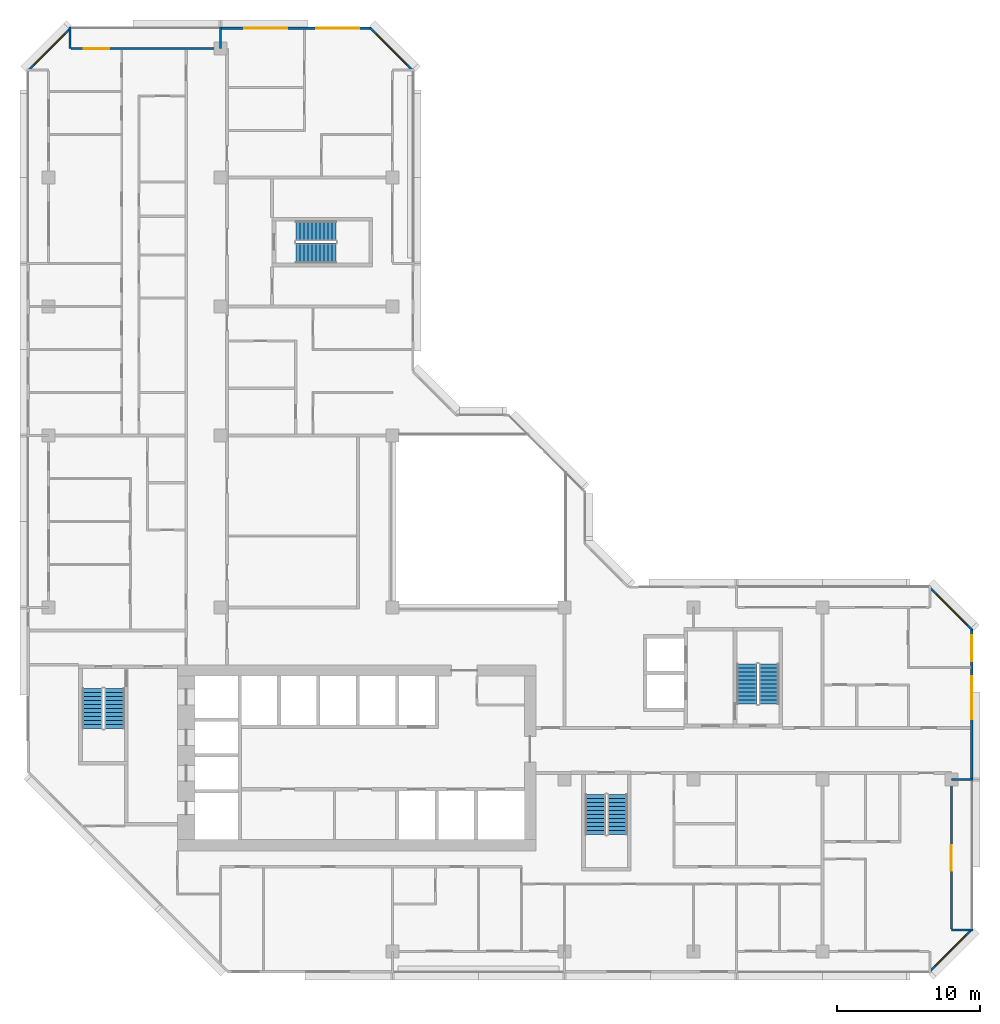
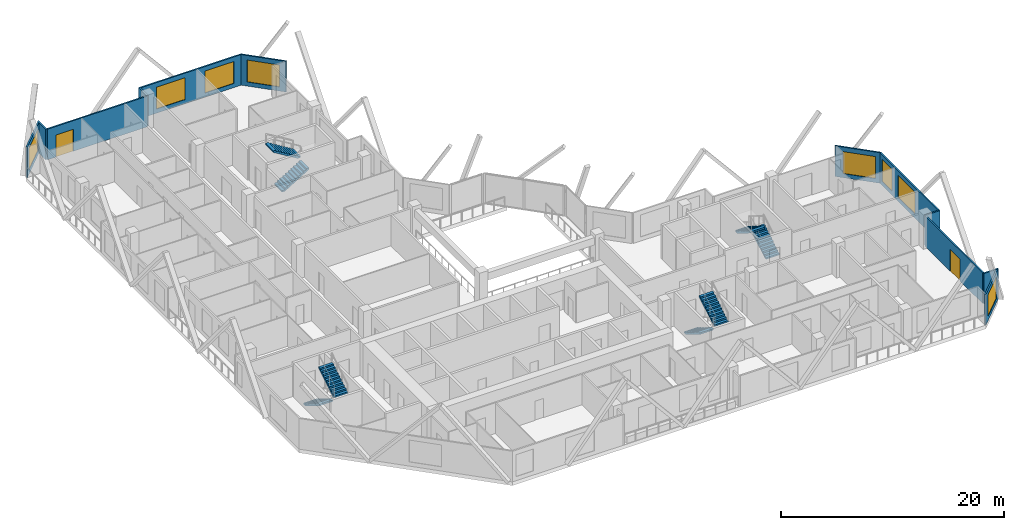
# One storey, part 12 of 14: 12 walls, 8 stair flights, 8 windows, 2 doors, 10 openings, 4 elements without a shape of their own.
"""IFC4 building model written with IfcOpenShell, lengths in metres."""

from ifc_helpers import new_model, si_unit, direction, frame, frame_2d, origin, place, context, subcontext, project, spatial, polyline, rectangle, outline, extrude, material, layer, layer_set, type_object, element, fill, aggregate, save


model = new_model("IFC4")

# Units and contexts
model_context = context("Model", 3, precision=1e-05, world=origin(), true_north=direction((0.0, 1.0)))
body_context = subcontext(model_context, "Body", "Model", "MODEL_VIEW")
ifc_project = project(units=[si_unit("LENGTHUNIT", "METRE"), si_unit("AREAUNIT", "SQUARE_METRE"), si_unit("VOLUMEUNIT", "CUBIC_METRE"), si_unit("PLANEANGLEUNIT", "RADIAN"), si_unit("MASSUNIT", "GRAM", prefix="KILO")], contexts=[model_context])

# Site, building, storey
site_placement = place(None, origin())
site = spatial("IfcSite", under=ifc_project, at=site_placement, CompositionType="ELEMENT")
building_placement = place(site_placement, origin())
building = spatial("IfcBuilding", under=site, at=building_placement, Name="Chenar Terraces", CompositionType="ELEMENT")
storey_placement = place(building_placement, frame((0.0, 0.0, 157.39990234375)))
storey = spatial("IfcBuildingStorey", under=building, at=storey_placement, Name="L35", CompositionType="ELEMENT", Elevation=157.39990234375)

# Wall, openings, windows
ifc_material_1 = material(Name="Aluminium framed glazing", Category="aluminium")
ifc_layer_1 = layer(ifc_material_1, 0.14990234375)
ifc_layer_set_1 = layer_set([ifc_layer_1], Name="Aluminium framed glazing")
wall_type_1 = type_object("IfcWallType", Name="Glazed flush facade wall 150", PredefinedType="SOLIDWALL", material=ifc_layer_set_1)
wall_1_placement = place(storey_placement, frame((22.5, 64.425048828125, 0.0), z_axis=(0.0, 0.0, 1.0), x_axis=(-1.0, 0.0, 0.0)))
wall_1 = element("IfcWall", 1, at=wall_1_placement, inside=storey, type_object=wall_type_1, Name="Glazed flush facade wall", PredefinedType="SOLIDWALL", context=body_context, shape_type="SweptSolid", body=[
    extrude(rectangle(XDim=10.425048828125, YDim=0.14990234375, at=frame_2d((5.21240234375, 0.0))), origin(), (0.0, 0.0, 1.0), 3.35009765625),
])
opening_1_placement = place(wall_1_placement, frame((0.824951171875, 0.0, 0.449951171875)))
opening_1 = element("IfcOpeningElement", 2, at=opening_1_placement, cuts=wall_1, Name="Opening W300x240", PredefinedType="OPENING", context=body_context, shape_type="SweptSolid", body=[
    extrude(rectangle(XDim=3.0, YDim=2.39990234375, at=frame_2d((1.5, 1.199951171875))), frame((0.0, 0.0849609375, 0.0), z_axis=(0.0, -1.0, 0.0), x_axis=(1.0, 0.0, 0.0)), (0.0, 0.0, 1.0), 0.169921875),
])
opening_2_placement = place(wall_1_placement, frame((5.85009765625, 0.0, 0.449951171875)))
opening_2 = element("IfcOpeningElement", 3, at=opening_2_placement, cuts=wall_1, Name="Opening W300x240", PredefinedType="OPENING", context=body_context, shape_type="SweptSolid", body=[
    extrude(rectangle(XDim=3.0, YDim=2.39990234375, at=frame_2d((1.5, 1.199951171875))), frame((0.0, 0.0849609375, 0.0), z_axis=(0.0, -1.0, 0.0), x_axis=(1.0, 0.0, 0.0)), (0.0, 0.0, 1.0), 0.169921875),
])
ifc_material_2 = material(Name="Low emissivity double glazing, aluminium frame", Category="aluminium")
window_type_1 = type_object("IfcWindowType", Name="Fixed light 3000 x 2400", PartitioningType="SINGLE_PANEL", PredefinedType="WINDOW", material=ifc_material_2)
window_1_placement = place(opening_1_placement, origin())
window_1 = element("IfcWindow", 4, at=window_1_placement, inside=storey, type_object=window_type_1, Name="Window", OverallHeight=2.39990234375, OverallWidth=3.0, PartitioningType="SINGLE_PANEL", PredefinedType="WINDOW", context=body_context, shape_type="SweptSolid", body=[
    extrude(rectangle(XDim=3.0, YDim=2.39990234375, at=frame_2d((1.5, 1.199951171875))), frame((0.0, 0.030029296875, 0.0), z_axis=(0.0, -1.0, 0.0), x_axis=(1.0, 0.0, 0.0)), (0.0, 0.0, 1.0), 0.06005859375),
])
fill(opening_1, window_1)
window_2_placement = place(opening_2_placement, origin())
window_2 = element("IfcWindow", 5, at=window_2_placement, inside=storey, type_object=window_type_1, Name="Window", OverallHeight=2.39990234375, OverallWidth=3.0, PartitioningType="SINGLE_PANEL", PredefinedType="WINDOW", context=body_context, shape_type="SweptSolid", body=[
    extrude(rectangle(XDim=3.0, YDim=2.39990234375, at=frame_2d((1.5, 1.199951171875))), frame((0.0, 0.030029296875, 0.0), z_axis=(0.0, -1.0, 0.0), x_axis=(1.0, 0.0, 0.0)), (0.0, 0.0, 1.0), 0.06005859375),
])
fill(opening_2, window_2)

wall_2_placement = place(storey_placement, frame((64.425048828125, 12.074951171875, 0.0), z_axis=(0.0, 0.0, 1.0), x_axis=(0.0, 1.0, 0.0)))
wall_2 = element("IfcWall", 6, at=wall_2_placement, inside=storey, type_object=wall_type_1, Name="Glazed flush facade wall", PredefinedType="SOLIDWALL", context=body_context, shape_type="SweptSolid", body=[
    extrude(rectangle(XDim=10.425048828125, YDim=0.14990234375, at=frame_2d((5.21240234375, 0.0))), origin(), (0.0, 0.0, 1.0), 3.35009765625),
])
opening_3_placement = place(wall_2_placement, frame((4.125, 0.0, 0.449951171875)))
opening_3 = element("IfcOpeningElement", 7, at=opening_3_placement, cuts=wall_2, Name="Opening W300x240", PredefinedType="OPENING", context=body_context, shape_type="SweptSolid", body=[
    extrude(rectangle(XDim=3.0, YDim=2.39990234375, at=frame_2d((1.5, 1.199951171875))), frame((0.0, 0.0849609375, 0.0), z_axis=(0.0, -1.0, 0.0), x_axis=(1.0, 0.0, 0.0)), (0.0, 0.0, 1.0), 0.169921875),
])
opening_4_placement = place(wall_2_placement, frame((8.175048828125, 0.0, 0.449951171875)))
opening_4 = element("IfcOpeningElement", 8, at=opening_4_placement, cuts=wall_2, Name="Opening W180x240", PredefinedType="OPENING", context=body_context, shape_type="SweptSolid", body=[
    extrude(rectangle(XDim=1.800048828125, YDim=2.39990234375, at=frame_2d((0.89990234375, 1.199951171875))), frame((0.0, 0.0849609375, 0.0), z_axis=(0.0, -1.0, 0.0), x_axis=(1.0, 0.0, 0.0)), (0.0, 0.0, 1.0), 0.169921875),
])
ifc_material_3 = material(Name="Low emissivity double glazing, aluminium frame", Category="aluminium")
window_type_2 = type_object("IfcWindowType", Name="Fixed light 1800 x 2400", PartitioningType="SINGLE_PANEL", PredefinedType="WINDOW", material=ifc_material_3)
window_3_placement = place(opening_4_placement, origin())
window_3 = element("IfcWindow", 9, at=window_3_placement, inside=storey, type_object=window_type_2, Name="Window", OverallHeight=2.39990234375, OverallWidth=1.800048828125, PartitioningType="SINGLE_PANEL", PredefinedType="WINDOW", context=body_context, shape_type="SweptSolid", body=[
    extrude(rectangle(XDim=1.800048828125, YDim=2.39990234375, at=frame_2d((0.89990234375, 1.199951171875))), frame((0.0, 0.030029296875, 0.0), z_axis=(0.0, -1.0, 0.0), x_axis=(1.0, 0.0, 0.0)), (0.0, 0.0, 1.0), 0.06005859375),
])
fill(opening_4, window_3)
window_4_placement = place(opening_3_placement, origin())
window_4 = element("IfcWindow", 10, at=window_4_placement, inside=storey, type_object=window_type_1, Name="Window", OverallHeight=2.39990234375, OverallWidth=3.0, PartitioningType="SINGLE_PANEL", PredefinedType="WINDOW", context=body_context, shape_type="SweptSolid", body=[
    extrude(rectangle(XDim=3.0, YDim=2.39990234375, at=frame_2d((1.5, 1.199951171875))), frame((0.0, 0.030029296875, 0.0), z_axis=(0.0, -1.0, 0.0), x_axis=(1.0, 0.0, 0.0)), (0.0, 0.0, 1.0), 0.06005859375),
])
fill(opening_3, window_4)

# Wall, opening, door
ifc_material_4 = material(Name="Aluminium framed glazing", Category="aluminium")
ifc_layer_2 = layer(ifc_material_4, 0.14990234375)
ifc_layer_set_2 = layer_set([ifc_layer_2], Name="Aluminium framed glazing")
wall_type_2 = type_object("IfcWallType", Name="Glazed loggia back wall 150", PredefinedType="SOLIDWALL", material=ifc_layer_set_2)
wall_3_placement = place(storey_placement, frame((11.925048828125, 63.0, 0.0), z_axis=(0.0, 0.0, 1.0), x_axis=(-1.0, 0.0, 0.0)))
wall_3 = element("IfcWall", 11, at=wall_3_placement, inside=storey, type_object=wall_type_2, Name="Glazed loggia back wall", PredefinedType="SOLIDWALL", context=body_context, shape_type="SweptSolid", body=[
    extrude(rectangle(XDim=10.35009765625, YDim=0.14990234375, at=frame_2d((5.175048828125, 0.0))), origin(), (0.0, 0.0, 1.0), 3.35009765625),
])
opening_5_placement = place(wall_3_placement, frame((7.6875, 0.0, 0.0)))
opening_5 = element("IfcOpeningElement", 12, at=opening_5_placement, cuts=wall_3, Name="Opening DL35-G3", PredefinedType="OPENING", context=body_context, shape_type="SweptSolid", body=[
    extrude(rectangle(XDim=1.800048828125, YDim=2.39990234375, at=frame_2d((0.89990234375, 1.199951171875))), frame((0.0, 0.0849609375, 0.0), z_axis=(0.0, -1.0, 0.0), x_axis=(1.0, 0.0, 0.0)), (0.0, 0.0, 1.0), 0.169921875),
])
ifc_material_5 = material(Name="Low emissivity double glazing, aluminium frame", Category="aluminium")
door_type = type_object("IfcDoorType", Name="Loggia glazed double door 1800 x 2400", OperationType="DOUBLE_DOOR_SINGLE_SWING", PredefinedType="DOOR", material=ifc_material_5)
door_1_placement = place(opening_5_placement, frame((1.800048828125, 0.0, 0.0), z_axis=(0.0, 0.0, 1.0), x_axis=(-1.0, 0.0, 0.0)))
door_1 = element("IfcDoor", 13, at=door_1_placement, inside=storey, type_object=door_type, Name="Loggia glazed door", OperationType="DOUBLE_DOOR_SINGLE_SWING", OverallHeight=2.39990234375, OverallWidth=1.800048828125, PredefinedType="DOOR", context=body_context, shape_type="SweptSolid", body=[
    extrude(rectangle(XDim=1.800048828125, YDim=2.39990234375, at=frame_2d((0.89990234375, 1.199951171875))), frame((0.0, 0.02490234375, 0.0), z_axis=(0.0, -1.0, 0.0), x_axis=(1.0, 0.0, 0.0)), (0.0, 0.0, 1.0), 0.050048828125),
])
fill(opening_5, door_1)

wall_4_placement = place(storey_placement, frame((63.0, 1.574951171875, 0.0), z_axis=(0.0, 0.0, 1.0), x_axis=(0.0, 1.0, 0.0)))
wall_4 = element("IfcWall", 14, at=wall_4_placement, inside=storey, type_object=wall_type_2, Name="Glazed loggia back wall", PredefinedType="SOLIDWALL", context=body_context, shape_type="SweptSolid", body=[
    extrude(rectangle(XDim=10.35009765625, YDim=0.14990234375, at=frame_2d((5.175048828125, 0.0))), origin(), (0.0, 0.0, 1.0), 3.35009765625),
])
opening_6_placement = place(wall_4_placement, frame((4.03759765625, 0.0, 0.0)))
opening_6 = element("IfcOpeningElement", 15, at=opening_6_placement, cuts=wall_4, Name="Opening DL35-G8", PredefinedType="OPENING", context=body_context, shape_type="SweptSolid", body=[
    extrude(rectangle(XDim=1.800048828125, YDim=2.39990234375, at=frame_2d((0.89990234375, 1.199951171875))), frame((0.0, 0.0849609375, 0.0), z_axis=(0.0, -1.0, 0.0), x_axis=(1.0, 0.0, 0.0)), (0.0, 0.0, 1.0), 0.169921875),
])
door_2_placement = place(opening_6_placement, frame((1.800048828125, 0.0, 0.0), z_axis=(0.0, 0.0, 1.0), x_axis=(-1.0, 0.0, 0.0)))
door_2 = element("IfcDoor", 16, at=door_2_placement, inside=storey, type_object=door_type, Name="Loggia glazed door", OperationType="DOUBLE_DOOR_SINGLE_SWING", OverallHeight=2.39990234375, OverallWidth=1.800048828125, PredefinedType="DOOR", context=body_context, shape_type="SweptSolid", body=[
    extrude(rectangle(XDim=1.800048828125, YDim=2.39990234375, at=frame_2d((0.89990234375, 1.199951171875))), frame((0.0, 0.02490234375, 0.0), z_axis=(0.0, -1.0, 0.0), x_axis=(1.0, 0.0, 0.0)), (0.0, 0.0, 1.0), 0.050048828125),
])
fill(opening_6, door_2)

# Walls
ifc_material_6 = material(Name="Terracotta cladding on insulated backing", Category="masonry")
ifc_layer_3 = layer(ifc_material_6, 0.14990234375)
ifc_layer_set_3 = layer_set([ifc_layer_3], Name="Terracotta cladding on insulated backing")
wall_type_3 = type_object("IfcWallType", Name="Loggia return wall 150", PredefinedType="SOLIDWALL", material=ifc_layer_set_3)
for number, where, z_axis, x_axis, name in (
    (17, (12.0, 64.5, 0.0), (0.0, 0.0, 1.0), (0.0, -1.0, 0.0), "Loggia return wall"),
    (18, (1.5, 64.5, 0.0), (0.0, 0.0, 1.0), (0.0, -1.0, 0.0), "Loggia return wall"),
    (19, (64.5, 1.5, 0.0), (0.0, 0.0, 1.0), (-1.0, 0.0, 0.0), "Loggia return wall"),
    (20, (64.5, 12.0, 0.0), (0.0, 0.0, 1.0), (-1.0, 0.0, 0.0), "Loggia return wall"),
):
    element("IfcWall", number, at=place(storey_placement, frame(where, z_axis=z_axis, x_axis=x_axis)), inside=storey, type_object=wall_type_3, Name=name, PredefinedType="SOLIDWALL", context=body_context, shape_type="SweptSolid", body=[
        extrude(rectangle(XDim=1.5, YDim=0.14990234375, at=frame_2d((0.75, 0.0))), origin(), (0.0, 0.0, 1.0), 3.35009765625),
    ])

# Wall, opening, window
ifc_material_7 = material(Name="Terracotta cladding on insulated backing", Category="masonry")
ifc_layer_4 = layer(ifc_material_7, 0.14990234375)
ifc_layer_set_4 = layer_set([ifc_layer_4], Name="Terracotta cladding on insulated backing")
wall_type_4 = type_object("IfcWallType", Name="Terracotta rainscreen wall 150", PredefinedType="SOLIDWALL", material=ifc_layer_set_4)
wall_5_placement = place(storey_placement, frame((25.447021484375, 61.447021484375, 0.0), z_axis=(0.0, 0.0, 1.0), x_axis=(-0.707106781187, 0.707106781187, 0.0)))
wall_5 = element("IfcWall", 21, at=wall_5_placement, inside=storey, type_object=wall_type_4, Name="Terracotta rainscreen wall", PredefinedType="SOLIDWALL", context=body_context, shape_type="SweptSolid", body=[
    extrude(rectangle(XDim=4.24267578125, YDim=0.14990234375, at=frame_2d((2.121337890625, 0.0))), origin(), (0.0, 0.0, 1.0), 3.35009765625),
])
opening_7_placement = place(wall_5_placement, frame((0.621337890625, 0.0, 0.449951171875)))
opening_7 = element("IfcOpeningElement", 22, at=opening_7_placement, cuts=wall_5, Name="Opening W300x240", PredefinedType="OPENING", context=body_context, shape_type="SweptSolid", body=[
    extrude(rectangle(XDim=3.0, YDim=2.39990234375, at=frame_2d((1.5, 1.199951171875))), frame((0.0, 0.0849609375, 0.0), z_axis=(0.0, -1.0, 0.0), x_axis=(1.0, 0.0, 0.0)), (0.0, 0.0, 1.0), 0.169921875),
])
window_5_placement = place(opening_7_placement, origin())
window_5 = element("IfcWindow", 23, at=window_5_placement, inside=storey, type_object=window_type_1, Name="Window", OverallHeight=2.39990234375, OverallWidth=3.0, PartitioningType="SINGLE_PANEL", PredefinedType="WINDOW", context=body_context, shape_type="SweptSolid", body=[
    extrude(rectangle(XDim=3.0, YDim=2.39990234375, at=frame_2d((1.5, 1.199951171875))), frame((0.0, 0.030029296875, 0.0), z_axis=(0.0, -1.0, 0.0), x_axis=(1.0, 0.0, 0.0)), (0.0, 0.0, 1.0), 0.06005859375),
])
fill(opening_7, window_5)

wall_6_placement = place(storey_placement, frame((1.552978515625, 64.447021484375, 0.0), z_axis=(0.0, 0.0, 1.0), x_axis=(-0.707106781187, -0.707106781187, 0.0)))
wall_6 = element("IfcWall", 24, at=wall_6_placement, inside=storey, type_object=wall_type_4, Name="Terracotta rainscreen wall", PredefinedType="SOLIDWALL", context=body_context, shape_type="SweptSolid", body=[
    extrude(rectangle(XDim=4.24267578125, YDim=0.14990234375, at=frame_2d((2.121337890625, 0.0))), origin(), (0.0, 0.0, 1.0), 3.35009765625),
])
opening_8_placement = place(wall_6_placement, frame((0.621337890625, 0.0, 0.449951171875)))
opening_8 = element("IfcOpeningElement", 25, at=opening_8_placement, cuts=wall_6, Name="Opening W300x240", PredefinedType="OPENING", context=body_context, shape_type="SweptSolid", body=[
    extrude(rectangle(XDim=3.0, YDim=2.39990234375, at=frame_2d((1.5, 1.199951171875))), frame((0.0, 0.0849609375, 0.0), z_axis=(0.0, -1.0, 0.0), x_axis=(1.0, 0.0, 0.0)), (0.0, 0.0, 1.0), 0.169921875),
])
window_6_placement = place(opening_8_placement, origin())
window_6 = element("IfcWindow", 26, at=window_6_placement, inside=storey, type_object=window_type_1, Name="Window", OverallHeight=2.39990234375, OverallWidth=3.0, PartitioningType="SINGLE_PANEL", PredefinedType="WINDOW", context=body_context, shape_type="SweptSolid", body=[
    extrude(rectangle(XDim=3.0, YDim=2.39990234375, at=frame_2d((1.5, 1.199951171875))), frame((0.0, 0.030029296875, 0.0), z_axis=(0.0, -1.0, 0.0), x_axis=(1.0, 0.0, 0.0)), (0.0, 0.0, 1.0), 0.06005859375),
])
fill(opening_8, window_6)

wall_7_placement = place(storey_placement, frame((61.447021484375, -1.447021484375, 0.0), z_axis=(0.0, 0.0, 1.0), x_axis=(0.707106781187, 0.707106781187, 0.0)))
wall_7 = element("IfcWall", 27, at=wall_7_placement, inside=storey, type_object=wall_type_4, Name="Terracotta rainscreen wall", PredefinedType="SOLIDWALL", context=body_context, shape_type="SweptSolid", body=[
    extrude(rectangle(XDim=4.24267578125, YDim=0.14990234375, at=frame_2d((2.121337890625, 0.0))), origin(), (0.0, 0.0, 1.0), 3.35009765625),
])
opening_9_placement = place(wall_7_placement, frame((0.621337890625, 0.0, 0.449951171875)))
opening_9 = element("IfcOpeningElement", 28, at=opening_9_placement, cuts=wall_7, Name="Opening W300x240", PredefinedType="OPENING", context=body_context, shape_type="SweptSolid", body=[
    extrude(rectangle(XDim=3.0, YDim=2.39990234375, at=frame_2d((1.5, 1.199951171875))), frame((0.0, 0.0849609375, 0.0), z_axis=(0.0, -1.0, 0.0), x_axis=(1.0, 0.0, 0.0)), (0.0, 0.0, 1.0), 0.169921875),
])
window_7_placement = place(opening_9_placement, origin())
window_7 = element("IfcWindow", 29, at=window_7_placement, inside=storey, type_object=window_type_1, Name="Window", OverallHeight=2.39990234375, OverallWidth=3.0, PartitioningType="SINGLE_PANEL", PredefinedType="WINDOW", context=body_context, shape_type="SweptSolid", body=[
    extrude(rectangle(XDim=3.0, YDim=2.39990234375, at=frame_2d((1.5, 1.199951171875))), frame((0.0, 0.030029296875, 0.0), z_axis=(0.0, -1.0, 0.0), x_axis=(1.0, 0.0, 0.0)), (0.0, 0.0, 1.0), 0.06005859375),
])
fill(opening_9, window_7)

wall_8_placement = place(storey_placement, frame((64.447021484375, 22.447021484375, 0.0), z_axis=(0.0, 0.0, 1.0), x_axis=(-0.707106781187, 0.707106781187, 0.0)))
wall_8 = element("IfcWall", 30, at=wall_8_placement, inside=storey, type_object=wall_type_4, Name="Terracotta rainscreen wall", PredefinedType="SOLIDWALL", context=body_context, shape_type="SweptSolid", body=[
    extrude(rectangle(XDim=4.24267578125, YDim=0.14990234375, at=frame_2d((2.121337890625, 0.0))), origin(), (0.0, 0.0, 1.0), 3.35009765625),
])
opening_10_placement = place(wall_8_placement, frame((0.498046875, 0.0, 0.449951171875)))
opening_10 = element("IfcOpeningElement", 31, at=opening_10_placement, cuts=wall_8, Name="Opening W300x240", PredefinedType="OPENING", context=body_context, shape_type="SweptSolid", body=[
    extrude(rectangle(XDim=3.0, YDim=2.39990234375, at=frame_2d((1.5, 1.199951171875))), frame((0.0, 0.0849609375, 0.0), z_axis=(0.0, -1.0, 0.0), x_axis=(1.0, 0.0, 0.0)), (0.0, 0.0, 1.0), 0.169921875),
])
window_8_placement = place(opening_10_placement, origin())
window_8 = element("IfcWindow", 32, at=window_8_placement, inside=storey, type_object=window_type_1, Name="Window", OverallHeight=2.39990234375, OverallWidth=3.0, PartitioningType="SINGLE_PANEL", PredefinedType="WINDOW", context=body_context, shape_type="SweptSolid", body=[
    extrude(rectangle(XDim=3.0, YDim=2.39990234375, at=frame_2d((1.5, 1.199951171875))), frame((0.0, 0.030029296875, 0.0), z_axis=(0.0, -1.0, 0.0), x_axis=(1.0, 0.0, 0.0)), (0.0, 0.0, 1.0), 0.06005859375),
])
fill(opening_10, window_8)

# Stair, stair flights
ifc_material_8 = material(Name="Reinforced concrete C40/50", Category="concrete")
stair_type = type_object("IfcStairType", Name="Core stair 1400 half-turn", PredefinedType="HALF_TURN_STAIR", material=ifc_material_8)
placement = place(storey_placement, origin())
stair_1 = element("IfcStair", 33, at=placement, inside=storey, type_object=stair_type, Name="L35 Stair 1", PredefinedType="HALF_TURN_STAIR")
ifc_material_9 = material(Name="Reinforced concrete C40/50", Category="concrete")
stair_flight_type = type_object("IfcStairFlightType", Name="Core stair flight 1400", PredefinedType="STRAIGHT", material=ifc_material_9)
stair_flight_1_placement = place(storey_placement, frame((3.050048828125, 18.35009765625, 0.0), z_axis=(0.0, 0.0, 1.0), x_axis=(0.0, -1.0, 0.0)))
stair_flight_1 = element("IfcStairFlight", 34, at=stair_flight_1_placement, type_object=stair_flight_type, Name="ST1 flight 1", NumberOfRisers=11, NumberOfTreads=10, PredefinedType="STRAIGHT", RiserHeight=0.170454545, TreadLength=0.28, context=body_context, shape_type="SweptSolid", body=[
    extrude(outline(polyline([(-0.0029296875, 0.0), (-0.0029296875, 0.17041015625), (0.0, 0.17041015625), (0.280029296875, 0.17041015625), (0.280029296875, 0.3408203125), (0.56005859375, 0.3408203125), (0.56005859375, 0.511474609375), (0.840087890625, 0.511474609375), (0.840087890625, 0.681884765625), (1.1201171875, 0.681884765625), (1.1201171875, 0.852294921875), (1.39990234375, 0.852294921875), (1.39990234375, 1.022705078125), (1.679931640625, 1.022705078125), (1.679931640625, 1.193115234375), (1.9599609375, 1.193115234375), (1.9599609375, 1.363525390625), (2.239990234375, 1.363525390625), (2.239990234375, 1.5341796875), (2.52001953125, 1.5341796875), (2.52001953125, 1.70458984375), (2.800048828125, 1.70458984375), (2.802978515625, 1.70458984375), (2.802978515625, 1.529052734375), (2.800048828125, 1.529052734375), (0.288330078125, 0.0), (-0.0029296875, 0.0)])), frame((0.0, 0.699951171875, 0.0), z_axis=(0.0, -1.0, 0.0), x_axis=(1.0, 0.0, 0.0)), (0.0, 0.0, 1.0), 1.39990234375),
])
stair_flight_2_placement = place(storey_placement, frame((4.60009765625, 15.550048828125, 1.875), z_axis=(0.0, 0.0, 1.0), x_axis=(0.0, 1.0, 0.0)))
stair_flight_2 = element("IfcStairFlight", 35, at=stair_flight_2_placement, type_object=stair_flight_type, Name="ST1 flight 2", NumberOfRisers=11, NumberOfTreads=10, PredefinedType="STRAIGHT", RiserHeight=0.170454545, TreadLength=0.28, context=body_context, shape_type="SweptSolid", body=[
    extrude(outline(polyline([(-0.0029296875, 0.0), (-0.0029296875, 0.17041015625), (0.0, 0.17041015625), (0.280029296875, 0.17041015625), (0.280029296875, 0.3408203125), (0.56005859375, 0.3408203125), (0.56005859375, 0.511474609375), (0.840087890625, 0.511474609375), (0.840087890625, 0.681884765625), (1.1201171875, 0.681884765625), (1.1201171875, 0.852294921875), (1.39990234375, 0.852294921875), (1.39990234375, 1.022705078125), (1.679931640625, 1.022705078125), (1.679931640625, 1.193115234375), (1.9599609375, 1.193115234375), (1.9599609375, 1.363525390625), (2.239990234375, 1.363525390625), (2.239990234375, 1.5341796875), (2.52001953125, 1.5341796875), (2.52001953125, 1.70458984375), (2.800048828125, 1.70458984375), (2.802978515625, 1.70458984375), (2.802978515625, 1.529052734375), (2.800048828125, 1.529052734375), (0.288330078125, 0.0), (-0.0029296875, 0.0)])), frame((0.0, 0.699951171875, 0.0), z_axis=(0.0, -1.0, 0.0), x_axis=(1.0, 0.0, 0.0)), (0.0, 0.0, 1.0), 1.39990234375),
])
aggregate(stair_1, [stair_flight_1, stair_flight_2])

stair_2 = element("IfcStair", 36, at=placement, inside=storey, type_object=stair_type, Name="L35 Stair 2", PredefinedType="HALF_TURN_STAIR")
stair_flight_3_placement = place(storey_placement, frame((38.14990234375, 10.949951171875, 0.0), z_axis=(0.0, 0.0, 1.0), x_axis=(0.0, -1.0, 0.0)))
stair_flight_3 = element("IfcStairFlight", 37, at=stair_flight_3_placement, type_object=stair_flight_type, Name="ST2 flight 1", NumberOfRisers=11, NumberOfTreads=10, PredefinedType="STRAIGHT", RiserHeight=0.170454545, TreadLength=0.28, context=body_context, shape_type="SweptSolid", body=[
    extrude(outline(polyline([(-0.0029296875, 0.0), (-0.0029296875, 0.17041015625), (0.0, 0.17041015625), (0.280029296875, 0.17041015625), (0.280029296875, 0.3408203125), (0.56005859375, 0.3408203125), (0.56005859375, 0.511474609375), (0.840087890625, 0.511474609375), (0.840087890625, 0.681884765625), (1.1201171875, 0.681884765625), (1.1201171875, 0.852294921875), (1.39990234375, 0.852294921875), (1.39990234375, 1.022705078125), (1.679931640625, 1.022705078125), (1.679931640625, 1.193115234375), (1.9599609375, 1.193115234375), (1.9599609375, 1.363525390625), (2.239990234375, 1.363525390625), (2.239990234375, 1.5341796875), (2.52001953125, 1.5341796875), (2.52001953125, 1.70458984375), (2.800048828125, 1.70458984375), (2.802978515625, 1.70458984375), (2.802978515625, 1.529052734375), (2.800048828125, 1.529052734375), (0.288330078125, 0.0), (-0.0029296875, 0.0)])), frame((0.0, 0.699951171875, 0.0), z_axis=(0.0, -1.0, 0.0), x_axis=(1.0, 0.0, 0.0)), (0.0, 0.0, 1.0), 1.39990234375),
])
stair_flight_4_placement = place(storey_placement, frame((39.699951171875, 8.14990234375, 1.875), z_axis=(0.0, 0.0, 1.0), x_axis=(0.0, 1.0, 0.0)))
stair_flight_4 = element("IfcStairFlight", 38, at=stair_flight_4_placement, type_object=stair_flight_type, Name="ST2 flight 2", NumberOfRisers=11, NumberOfTreads=10, PredefinedType="STRAIGHT", RiserHeight=0.170454545, TreadLength=0.28, context=body_context, shape_type="SweptSolid", body=[
    extrude(outline(polyline([(-0.0029296875, 0.0), (-0.0029296875, 0.17041015625), (0.0, 0.17041015625), (0.280029296875, 0.17041015625), (0.280029296875, 0.3408203125), (0.56005859375, 0.3408203125), (0.56005859375, 0.511474609375), (0.840087890625, 0.511474609375), (0.840087890625, 0.681884765625), (1.1201171875, 0.681884765625), (1.1201171875, 0.852294921875), (1.39990234375, 0.852294921875), (1.39990234375, 1.022705078125), (1.679931640625, 1.022705078125), (1.679931640625, 1.193115234375), (1.9599609375, 1.193115234375), (1.9599609375, 1.363525390625), (2.239990234375, 1.363525390625), (2.239990234375, 1.5341796875), (2.52001953125, 1.5341796875), (2.52001953125, 1.70458984375), (2.800048828125, 1.70458984375), (2.802978515625, 1.70458984375), (2.802978515625, 1.529052734375), (2.800048828125, 1.529052734375), (0.288330078125, 0.0), (-0.0029296875, 0.0)])), frame((0.0, 0.699951171875, 0.0), z_axis=(0.0, -1.0, 0.0), x_axis=(1.0, 0.0, 0.0)), (0.0, 0.0, 1.0), 1.39990234375),
])
aggregate(stair_2, [stair_flight_3, stair_flight_4])

stair_3 = element("IfcStair", 39, at=placement, inside=storey, type_object=stair_type, Name="L35 Stair 3", PredefinedType="HALF_TURN_STAIR")
stair_flight_5_placement = place(storey_placement, frame((50.27490234375, 17.25, 0.0), z_axis=(0.0, 0.0, 1.0), x_axis=(0.0, 1.0, 0.0)))
stair_flight_5 = element("IfcStairFlight", 40, at=stair_flight_5_placement, type_object=stair_flight_type, Name="ST3 flight 1", NumberOfRisers=11, NumberOfTreads=10, PredefinedType="STRAIGHT", RiserHeight=0.170454545, TreadLength=0.28, context=body_context, shape_type="SweptSolid", body=[
    extrude(outline(polyline([(-0.0029296875, 0.0), (-0.0029296875, 0.17041015625), (0.0, 0.17041015625), (0.280029296875, 0.17041015625), (0.280029296875, 0.3408203125), (0.56005859375, 0.3408203125), (0.56005859375, 0.511474609375), (0.840087890625, 0.511474609375), (0.840087890625, 0.681884765625), (1.1201171875, 0.681884765625), (1.1201171875, 0.852294921875), (1.39990234375, 0.852294921875), (1.39990234375, 1.022705078125), (1.679931640625, 1.022705078125), (1.679931640625, 1.193115234375), (1.9599609375, 1.193115234375), (1.9599609375, 1.363525390625), (2.239990234375, 1.363525390625), (2.239990234375, 1.5341796875), (2.52001953125, 1.5341796875), (2.52001953125, 1.70458984375), (2.800048828125, 1.70458984375), (2.802978515625, 1.70458984375), (2.802978515625, 1.529052734375), (2.800048828125, 1.529052734375), (0.288330078125, 0.0), (-0.0029296875, 0.0)])), frame((0.0, 0.699951171875, 0.0), z_axis=(0.0, -1.0, 0.0), x_axis=(1.0, 0.0, 0.0)), (0.0, 0.0, 1.0), 1.39990234375),
])
stair_flight_6_placement = place(storey_placement, frame((48.72509765625, 20.050048828125, 1.875), z_axis=(0.0, 0.0, 1.0), x_axis=(0.0, -1.0, 0.0)))
stair_flight_6 = element("IfcStairFlight", 41, at=stair_flight_6_placement, type_object=stair_flight_type, Name="ST3 flight 2", NumberOfRisers=11, NumberOfTreads=10, PredefinedType="STRAIGHT", RiserHeight=0.170454545, TreadLength=0.28, context=body_context, shape_type="SweptSolid", body=[
    extrude(outline(polyline([(-0.0029296875, 0.0), (-0.0029296875, 0.17041015625), (0.0, 0.17041015625), (0.280029296875, 0.17041015625), (0.280029296875, 0.3408203125), (0.56005859375, 0.3408203125), (0.56005859375, 0.511474609375), (0.840087890625, 0.511474609375), (0.840087890625, 0.681884765625), (1.1201171875, 0.681884765625), (1.1201171875, 0.852294921875), (1.39990234375, 0.852294921875), (1.39990234375, 1.022705078125), (1.679931640625, 1.022705078125), (1.679931640625, 1.193115234375), (1.9599609375, 1.193115234375), (1.9599609375, 1.363525390625), (2.239990234375, 1.363525390625), (2.239990234375, 1.5341796875), (2.52001953125, 1.5341796875), (2.52001953125, 1.70458984375), (2.800048828125, 1.70458984375), (2.802978515625, 1.70458984375), (2.802978515625, 1.529052734375), (2.800048828125, 1.529052734375), (0.288330078125, 0.0), (-0.0029296875, 0.0)])), frame((0.0, 0.699951171875, 0.0), z_axis=(0.0, -1.0, 0.0), x_axis=(1.0, 0.0, 0.0)), (0.0, 0.0, 1.0), 1.39990234375),
])
aggregate(stair_3, [stair_flight_5, stair_flight_6])

stair_4 = element("IfcStair", 42, at=placement, inside=storey, type_object=stair_type, Name="L35 Stair 4", PredefinedType="HALF_TURN_STAIR")
stair_flight_7_placement = place(storey_placement, frame((17.25, 48.72509765625, 0.0), z_axis=(0.0, 0.0, 1.0), x_axis=(1.0, 0.0, 0.0)))
stair_flight_7 = element("IfcStairFlight", 43, at=stair_flight_7_placement, type_object=stair_flight_type, Name="ST4 flight 1", NumberOfRisers=11, NumberOfTreads=10, PredefinedType="STRAIGHT", RiserHeight=0.170454545, TreadLength=0.28, context=body_context, shape_type="SweptSolid", body=[
    extrude(outline(polyline([(-0.0029296875, 0.0), (-0.0029296875, 0.17041015625), (0.0, 0.17041015625), (0.280029296875, 0.17041015625), (0.280029296875, 0.3408203125), (0.56005859375, 0.3408203125), (0.56005859375, 0.511474609375), (0.840087890625, 0.511474609375), (0.840087890625, 0.681884765625), (1.1201171875, 0.681884765625), (1.1201171875, 0.852294921875), (1.39990234375, 0.852294921875), (1.39990234375, 1.022705078125), (1.679931640625, 1.022705078125), (1.679931640625, 1.193115234375), (1.9599609375, 1.193115234375), (1.9599609375, 1.363525390625), (2.239990234375, 1.363525390625), (2.239990234375, 1.5341796875), (2.52001953125, 1.5341796875), (2.52001953125, 1.70458984375), (2.800048828125, 1.70458984375), (2.802978515625, 1.70458984375), (2.802978515625, 1.529052734375), (2.800048828125, 1.529052734375), (0.288330078125, 0.0), (-0.0029296875, 0.0)])), frame((0.0, 0.699951171875, 0.0), z_axis=(0.0, -1.0, 0.0), x_axis=(1.0, 0.0, 0.0)), (0.0, 0.0, 1.0), 1.39990234375),
])
stair_flight_8_placement = place(storey_placement, frame((20.050048828125, 50.27490234375, 1.875), z_axis=(0.0, 0.0, 1.0), x_axis=(-1.0, 0.0, 0.0)))
stair_flight_8 = element("IfcStairFlight", 44, at=stair_flight_8_placement, type_object=stair_flight_type, Name="ST4 flight 2", NumberOfRisers=11, NumberOfTreads=10, PredefinedType="STRAIGHT", RiserHeight=0.170454545, TreadLength=0.28, context=body_context, shape_type="SweptSolid", body=[
    extrude(outline(polyline([(-0.0029296875, 0.0), (-0.0029296875, 0.17041015625), (0.0, 0.17041015625), (0.280029296875, 0.17041015625), (0.280029296875, 0.3408203125), (0.56005859375, 0.3408203125), (0.56005859375, 0.511474609375), (0.840087890625, 0.511474609375), (0.840087890625, 0.681884765625), (1.1201171875, 0.681884765625), (1.1201171875, 0.852294921875), (1.39990234375, 0.852294921875), (1.39990234375, 1.022705078125), (1.679931640625, 1.022705078125), (1.679931640625, 1.193115234375), (1.9599609375, 1.193115234375), (1.9599609375, 1.363525390625), (2.239990234375, 1.363525390625), (2.239990234375, 1.5341796875), (2.52001953125, 1.5341796875), (2.52001953125, 1.70458984375), (2.800048828125, 1.70458984375), (2.802978515625, 1.70458984375), (2.802978515625, 1.529052734375), (2.800048828125, 1.529052734375), (0.288330078125, 0.0), (-0.0029296875, 0.0)])), frame((0.0, 0.699951171875, 0.0), z_axis=(0.0, -1.0, 0.0), x_axis=(1.0, 0.0, 0.0)), (0.0, 0.0, 1.0), 1.39990234375),
])
aggregate(stair_4, [stair_flight_7, stair_flight_8])

save(model, "model.ifc")
